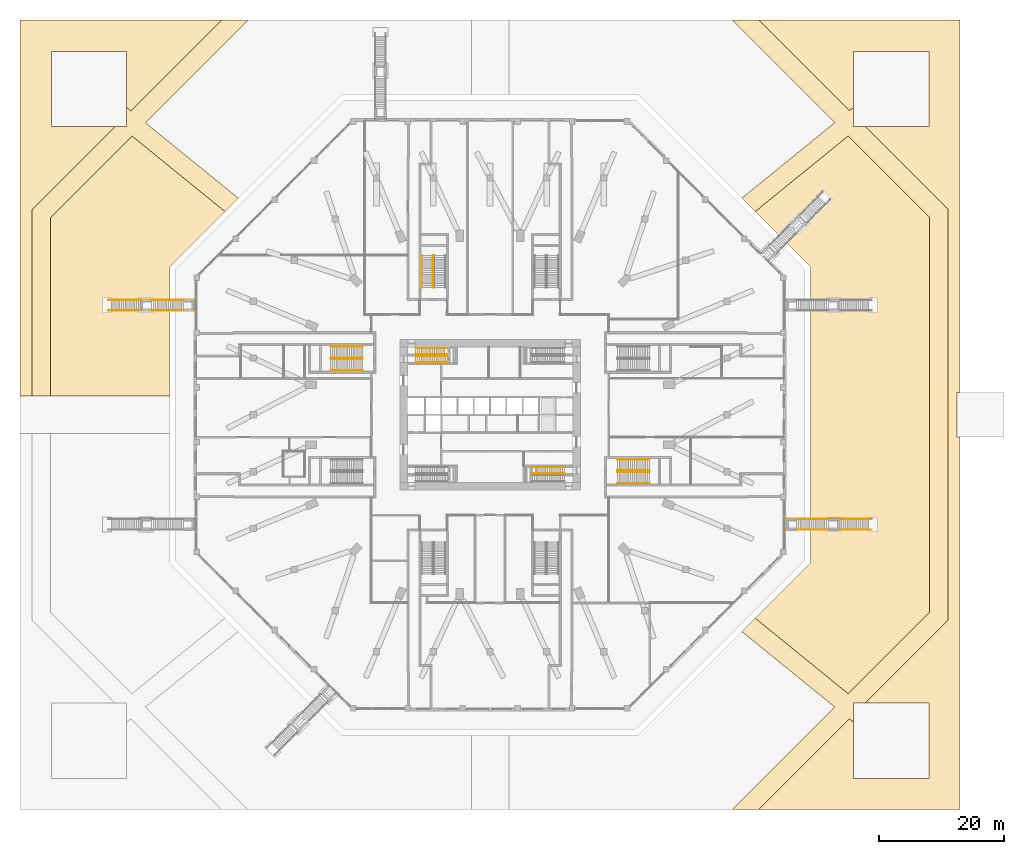
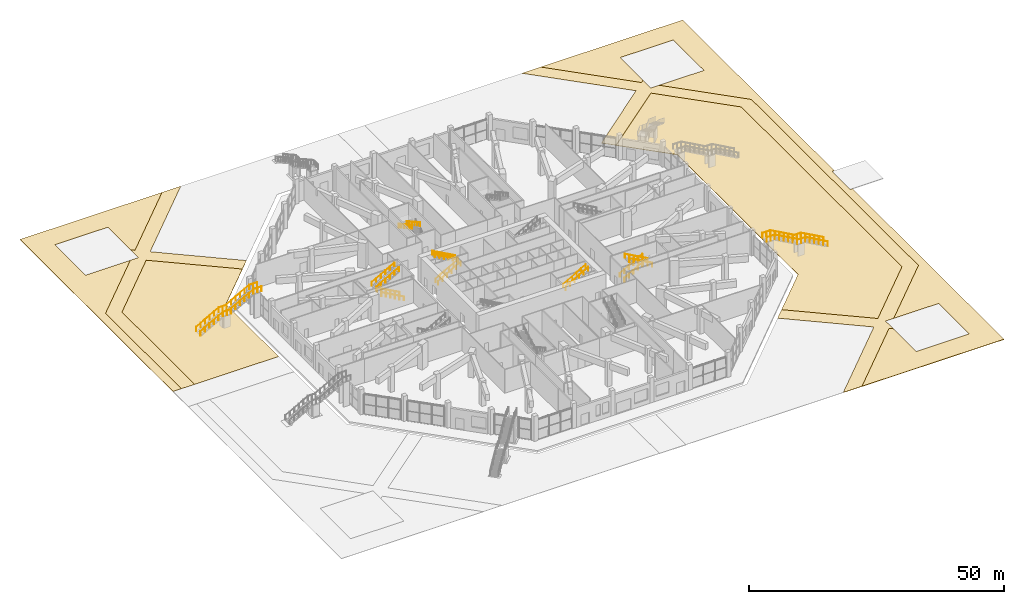
# One storey, part 33 of 36: 20 railings, 6 coverings.
"""IFC4 building model written with IfcOpenShell, lengths in metres."""

from ifc_helpers import new_model, si_unit, direction, frame, origin, origin_2d, place, context, subcontext, project, spatial, polyline, circle, outline, extrude, material, layer, layer_set, constituent, constituent_set, type_object, element, save


model = new_model("IFC4")

# Units and contexts
model_context = context("Model", 3, precision=1e-05, world=origin(), true_north=direction((0.0, 1.0)))
body_context = subcontext(model_context, "Body", "Model", "MODEL_VIEW")
ifc_project = project(units=[si_unit("LENGTHUNIT", "METRE"), si_unit("AREAUNIT", "SQUARE_METRE"), si_unit("VOLUMEUNIT", "CUBIC_METRE"), si_unit("PLANEANGLEUNIT", "RADIAN"), si_unit("MASSUNIT", "GRAM", prefix="KILO")], contexts=[model_context])

# Site, building, storey
site_placement = place(None, origin())
site = spatial("IfcSite", under=ifc_project, at=site_placement, CompositionType="ELEMENT")
building_placement = place(site_placement, origin())
building = spatial("IfcBuilding", under=site, at=building_placement, Name="Msitu Wima Residences", CompositionType="ELEMENT")
storey_placement = place(building_placement, origin())
storey = spatial("IfcBuildingStorey", under=building, at=storey_placement, Name="L00", CompositionType="ELEMENT", Elevation=0.0)

# Coverings
ifc_material_1 = material(Name="Lawn and planting")
ifc_layer_1 = layer(ifc_material_1, 0.10009765625)
ifc_layer_set_1 = layer_set([ifc_layer_1], Name="Lawn and planting")
covering_type_1 = type_object("IfcCoveringType", Name="Garden lawn LN100", PredefinedType="USERDEFINED", material=ifc_layer_set_1)
covering_1_placement = place(storey_placement, frame((0.0, 0.0, -0.10009765625)))
element("IfcCovering", 1, at=covering_1_placement, inside=storey, type_object=covering_type_1, Name="Public garden lawn and planting", ObjectType="LAWN", PredefinedType="USERDEFINED", context=body_context, shape_type="SweptSolid", body=[
    extrude(outline(polyline([(-42.849609375, 63.0), (-57.33349609375, 48.51611328125), (-58.0, 49.0576171875), (-58.0, 58.0), (-70.0, 58.0), (-70.0, 46.0), (-59.849609375, 46.0), (-73.10009765625, 32.749755859375), (-73.10009765625, 3.0), (-75.0, 3.0), (-75.0, 63.0), (-42.849609375, 63.0)])), origin(), (0.0, 0.0, 1.0), 0.10009765625),
])
covering_2_placement = place(storey_placement, frame((0.0, 0.0, -0.10009765625)))
element("IfcCovering", 2, at=covering_2_placement, inside=storey, type_object=covering_type_1, Name="Public garden lawn and planting", ObjectType="LAWN", PredefinedType="USERDEFINED", context=body_context, shape_type="SweptSolid", body=[
    extrude(outline(polyline([(-51.10009765625, 23.636962890625), (-51.10009765625, 3.0), (-70.10009765625, 3.0), (-70.10009765625, 31.507080078125), (-57.125244140625, 44.481689453125), (-42.300537109375, 32.4365234375), (-51.10009765625, 23.636962890625)])), origin(), (0.0, 0.0, 1.0), 0.10009765625),
])
covering_3_placement = place(storey_placement, frame((0.0, 0.0, -0.10009765625)))
element("IfcCovering", 3, at=covering_3_placement, inside=storey, type_object=covering_type_1, Name="Public garden lawn and planting", ObjectType="LAWN", PredefinedType="USERDEFINED", context=body_context, shape_type="SweptSolid", body=[
    extrude(outline(polyline([(51.10009765625, -23.636962890625), (51.10009765625, 23.636962890625), (42.300537109375, 32.4365234375), (57.125244140625, 44.481689453125), (70.10009765625, 31.507080078125), (70.10009765625, -31.507080078125), (57.125244140625, -44.481689453125), (42.300537109375, -32.4365234375), (51.10009765625, -23.636962890625)])), origin(), (0.0, 0.0, 1.0), 0.10009765625),
])
covering_4_placement = place(storey_placement, frame((0.0, 0.0, -0.10009765625)))
element("IfcCovering", 4, at=covering_4_placement, inside=storey, type_object=covering_type_1, Name="Public garden lawn and planting", ObjectType="LAWN", PredefinedType="USERDEFINED", context=body_context, shape_type="SweptSolid", body=[
    extrude(outline(polyline([(42.849609375, -63.0), (57.33349609375, -48.51611328125), (58.0, -49.0576171875), (58.0, -58.0), (70.0, -58.0), (70.0, -46.0), (59.849609375, -46.0), (73.10009765625, -32.749755859375), (73.10009765625, 32.749755859375), (59.849609375, 46.0), (70.0, 46.0), (70.0, 58.0), (58.0, 58.0), (58.0, 49.0576171875), (57.33349609375, 48.51611328125), (42.849609375, 63.0), (75.0, 63.0), (75.0, 3.550048828125), (74.5, 3.550048828125), (74.5, -3.550048828125), (75.0, -3.550048828125), (75.0, -63.0), (42.849609375, -63.0)])), origin(), (0.0, 0.0, 1.0), 0.10009765625),
])
ifc_material_2 = material(Name="Clay pavers")
ifc_layer_2 = layer(ifc_material_2, 0.050048828125, Name="Clay pavers")
ifc_material_3 = material(Name="Sand bedding")
ifc_layer_3 = layer(ifc_material_3, 0.010009765625, Name="Sand bedding")
ifc_layer_set_2 = layer_set([ifc_layer_2, ifc_layer_3], Name="Sand bedding")
covering_type_2 = type_object("IfcCoveringType", Name="Garden paving PV60", PredefinedType="USERDEFINED", material=ifc_layer_set_2)
covering_5_placement = place(storey_placement, frame((0.0, 0.0, -0.06005859375)))
element("IfcCovering", 5, at=covering_5_placement, inside=storey, type_object=covering_type_2, Name="Garden footpath paving", ObjectType="PAVING", PredefinedType="USERDEFINED", context=body_context, shape_type="SweptSolid", body=[
    extrude(outline(polyline([(-73.10009765625, 32.749755859375), (-59.849609375, 46.0), (-58.0, 46.0), (-58.0, 49.0576171875), (-57.33349609375, 48.51611328125), (-42.849609375, 63.0), (-38.60693359375, 63.0), (-54.99267578125, 46.6142578125), (-40.16796875, 34.569091796875), (-42.300537109375, 32.4365234375), (-57.125244140625, 44.481689453125), (-70.10009765625, 31.507080078125), (-70.10009765625, 3.0), (-73.10009765625, 3.0), (-73.10009765625, 32.749755859375)])), origin(), (0.0, 0.0, 1.0), 0.06005859375),
])
covering_6_placement = place(storey_placement, frame((0.0, 0.0, -0.06005859375)))
element("IfcCovering", 6, at=covering_6_placement, inside=storey, type_object=covering_type_2, Name="Garden footpath paving", ObjectType="PAVING", PredefinedType="USERDEFINED", context=body_context, shape_type="SweptSolid", body=[
    extrude(outline(polyline([(57.33349609375, 48.51611328125), (58.0, 49.0576171875), (58.0, 46.0), (59.849609375, 46.0), (73.10009765625, 32.749755859375), (73.10009765625, -32.749755859375), (59.849609375, -46.0), (58.0, -46.0), (58.0, -49.0576171875), (57.33349609375, -48.51611328125), (42.849609375, -63.0), (38.60693359375, -63.0), (54.99267578125, -46.6142578125), (40.16796875, -34.569091796875), (42.300537109375, -32.4365234375), (57.125244140625, -44.481689453125), (70.10009765625, -31.507080078125), (70.10009765625, 31.507080078125), (57.125244140625, 44.481689453125), (42.300537109375, 32.4365234375), (40.16796875, 34.569091796875), (54.99267578125, 46.6142578125), (38.60693359375, 63.0), (42.849609375, 63.0), (57.33349609375, 48.51611328125)])), origin(), (0.0, 0.0, 1.0), 0.06005859375),
])

# Railings
ifc_material_4 = material(Name="Steel S355", Category="steel")
ifc_constituent_1 = constituent(ifc_material_4, Name="Steel S355")
ifc_material_5 = material(Name="Black powder coating")
ifc_constituent_2 = constituent(ifc_material_5, Name="Black powder coating")
ifc_constituent_set_1 = constituent_set(constituents=[ifc_constituent_1, ifc_constituent_2], Name="Steel S355")
railing_type_1 = type_object("IfcRailingType", Name="Stair handrail HR1", PredefinedType="HANDRAIL", material=ifc_constituent_set_1)
for number, where, name in (
    (7, (-11.875, 8.375, 0.166748046875), "Stair 1 handrail"),
    (8, (-11.875, 9.375, 0.166748046875), "Stair 1 handrail"),
):
    element("IfcRailing", number, at=place(storey_placement, frame(where)), inside=storey, type_object=railing_type_1, Name=name, PredefinedType="HANDRAIL", context=body_context, shape_type="SweptSolid", body=[
        extrude(circle(Radius=0.02392578125, at=origin_2d()), frame((0.0, 0.0, 0.8759765625), z_axis=(0.874167145328, 0.0, 0.485625166182), x_axis=(0.0, 1.0, 0.0)), (0.0, 0.0, 1.0), 5.834228515625),
        extrude(circle(Radius=0.02099609375, at=origin_2d()), origin(), (0.0, 0.0, 1.0), 0.851806640625),
        extrude(circle(Radius=0.02099609375, at=origin_2d()), frame((1.02001953125, 0.0, 0.566650390625)), (0.0, 0.0, 1.0), 0.851806640625),
        extrude(circle(Radius=0.02099609375, at=origin_2d()), frame((2.0400390625, 0.0, 1.13330078125)), (0.0, 0.0, 1.0), 0.851806640625),
        extrude(circle(Radius=0.02099609375, at=origin_2d()), frame((3.06005859375, 0.0, 1.699951171875)), (0.0, 0.0, 1.0), 0.851806640625),
        extrude(circle(Radius=0.02099609375, at=origin_2d()), frame((4.080078125, 0.0, 2.2666015625)), (0.0, 0.0, 1.0), 0.851806640625),
        extrude(circle(Radius=0.02099609375, at=origin_2d()), frame((5.10009765625, 0.0, 2.833251953125)), (0.0, 0.0, 1.0), 0.851806640625),
    ])
for number, where, name in (
    (9, (-6.77490234375, 9.625, 3.166748046875), "Stair 1 handrail"),
    (10, (-6.77490234375, 10.625, 3.166748046875), "Stair 1 handrail"),
):
    element("IfcRailing", number, at=place(storey_placement, frame(where)), inside=storey, type_object=railing_type_1, Name=name, PredefinedType="HANDRAIL", context=body_context, shape_type="SweptSolid", body=[
        extrude(circle(Radius=0.02392578125, at=origin_2d()), frame((0.0, 0.0, 0.8759765625), z_axis=(-0.874167145328, 0.0, 0.485625166182), x_axis=(0.0, -1.0, 0.0)), (0.0, 0.0, 1.0), 5.834228515625),
        extrude(circle(Radius=0.02099609375, at=origin_2d()), origin(), (0.0, 0.0, 1.0), 0.851806640625),
        extrude(circle(Radius=0.02099609375, at=origin_2d()), frame((-1.02001953125, 0.0, 0.566650390625)), (0.0, 0.0, 1.0), 0.851806640625),
        extrude(circle(Radius=0.02099609375, at=origin_2d()), frame((-2.0400390625, 0.0, 1.13330078125)), (0.0, 0.0, 1.0), 0.851806640625),
        extrude(circle(Radius=0.02099609375, at=origin_2d()), frame((-3.06005859375, 0.0, 1.699951171875)), (0.0, 0.0, 1.0), 0.851806640625),
        extrude(circle(Radius=0.02099609375, at=origin_2d()), frame((-4.080078125, 0.0, 2.2666015625)), (0.0, 0.0, 1.0), 0.851806640625),
        extrude(circle(Radius=0.02099609375, at=origin_2d()), frame((-5.10009765625, 0.0, 2.833251953125)), (0.0, 0.0, 1.0), 0.851806640625),
    ])
for number, where, name in (
    (11, (6.77490234375, -9.375, 3.166748046875), "Stair 4 handrail"),
    (12, (6.77490234375, -8.375, 3.166748046875), "Stair 4 handrail"),
    (13, (20.324951171875, -7.10009765625, 0.166748046875), "Podium exit stair 2 handrail"),
    (14, (20.324951171875, -8.89990234375, 0.166748046875), "Podium exit stair 2 handrail"),
):
    element("IfcRailing", number, at=place(storey_placement, frame(where)), inside=storey, type_object=railing_type_1, Name=name, PredefinedType="HANDRAIL", context=body_context, shape_type="SweptSolid", body=[
        extrude(circle(Radius=0.02392578125, at=origin_2d()), frame((0.0, 0.0, 0.8759765625), z_axis=(0.874167145328, 0.0, 0.485625166182), x_axis=(0.0, 1.0, 0.0)), (0.0, 0.0, 1.0), 5.834228515625),
        extrude(circle(Radius=0.02099609375, at=origin_2d()), origin(), (0.0, 0.0, 1.0), 0.851806640625),
        extrude(circle(Radius=0.02099609375, at=origin_2d()), frame((1.02001953125, 0.0, 0.566650390625)), (0.0, 0.0, 1.0), 0.851806640625),
        extrude(circle(Radius=0.02099609375, at=origin_2d()), frame((2.0400390625, 0.0, 1.13330078125)), (0.0, 0.0, 1.0), 0.851806640625),
        extrude(circle(Radius=0.02099609375, at=origin_2d()), frame((3.06005859375, 0.0, 1.699951171875)), (0.0, 0.0, 1.0), 0.851806640625),
        extrude(circle(Radius=0.02099609375, at=origin_2d()), frame((4.080078125, 0.0, 2.2666015625)), (0.0, 0.0, 1.0), 0.851806640625),
        extrude(circle(Radius=0.02099609375, at=origin_2d()), frame((5.10009765625, 0.0, 2.833251953125)), (0.0, 0.0, 1.0), 0.851806640625),
    ])
for number, where, name in (
    (15, (25.425048828125, -9.10009765625, 3.166748046875), "Podium exit stair 2 handrail"),
    (16, (25.425048828125, -10.89990234375, 3.166748046875), "Podium exit stair 2 handrail"),
):
    element("IfcRailing", number, at=place(storey_placement, frame(where)), inside=storey, type_object=railing_type_1, Name=name, PredefinedType="HANDRAIL", context=body_context, shape_type="SweptSolid", body=[
        extrude(circle(Radius=0.02392578125, at=origin_2d()), frame((0.0, 0.0, 0.8759765625), z_axis=(-0.874167145328, 0.0, 0.485625166182), x_axis=(0.0, -1.0, 0.0)), (0.0, 0.0, 1.0), 5.834228515625),
        extrude(circle(Radius=0.02099609375, at=origin_2d()), origin(), (0.0, 0.0, 1.0), 0.851806640625),
        extrude(circle(Radius=0.02099609375, at=origin_2d()), frame((-1.02001953125, 0.0, 0.566650390625)), (0.0, 0.0, 1.0), 0.851806640625),
        extrude(circle(Radius=0.02099609375, at=origin_2d()), frame((-2.0400390625, 0.0, 1.13330078125)), (0.0, 0.0, 1.0), 0.851806640625),
        extrude(circle(Radius=0.02099609375, at=origin_2d()), frame((-3.06005859375, 0.0, 1.699951171875)), (0.0, 0.0, 1.0), 0.851806640625),
        extrude(circle(Radius=0.02099609375, at=origin_2d()), frame((-4.080078125, 0.0, 2.2666015625)), (0.0, 0.0, 1.0), 0.851806640625),
        extrude(circle(Radius=0.02099609375, at=origin_2d()), frame((-5.10009765625, 0.0, 2.833251953125)), (0.0, 0.0, 1.0), 0.851806640625),
    ])
for number, where, name in (
    (17, (-9.10009765625, 25.425048828125, 3.166748046875), "Podium exit stair 3 handrail"),
    (18, (-10.89990234375, 25.425048828125, 3.166748046875), "Podium exit stair 3 handrail"),
):
    element("IfcRailing", number, at=place(storey_placement, frame(where)), inside=storey, type_object=railing_type_1, Name=name, PredefinedType="HANDRAIL", context=body_context, shape_type="SweptSolid", body=[
        extrude(circle(Radius=0.02392578125, at=origin_2d()), frame((0.0, 0.0, 0.8759765625), z_axis=(0.0, -0.874167145328, 0.485625166182), x_axis=(1.0, 0.0, 0.0)), (0.0, 0.0, 1.0), 5.834228515625),
        extrude(circle(Radius=0.02099609375, at=origin_2d()), origin(), (0.0, 0.0, 1.0), 0.851806640625),
        extrude(circle(Radius=0.02099609375, at=origin_2d()), frame((0.0, -1.02001953125, 0.566650390625)), (0.0, 0.0, 1.0), 0.851806640625),
        extrude(circle(Radius=0.02099609375, at=origin_2d()), frame((0.0, -2.0400390625, 1.13330078125)), (0.0, 0.0, 1.0), 0.851806640625),
        extrude(circle(Radius=0.02099609375, at=origin_2d()), frame((0.0, -3.06005859375, 1.699951171875)), (0.0, 0.0, 1.0), 0.851806640625),
        extrude(circle(Radius=0.02099609375, at=origin_2d()), frame((0.0, -4.080078125, 2.2666015625)), (0.0, 0.0, 1.0), 0.851806640625),
        extrude(circle(Radius=0.02099609375, at=origin_2d()), frame((0.0, -5.10009765625, 2.833251953125)), (0.0, 0.0, 1.0), 0.851806640625),
    ])
for number, where, name in (
    (19, (-20.324951171875, 7.10009765625, 0.166748046875), "Podium exit stair 6 handrail"),
    (20, (-20.324951171875, 8.89990234375, 0.166748046875), "Podium exit stair 6 handrail"),
):
    element("IfcRailing", number, at=place(storey_placement, frame(where)), inside=storey, type_object=railing_type_1, Name=name, PredefinedType="HANDRAIL", context=body_context, shape_type="SweptSolid", body=[
        extrude(circle(Radius=0.02392578125, at=origin_2d()), frame((0.0, 0.0, 0.8759765625), z_axis=(-0.874167145328, 0.0, 0.485625166182), x_axis=(0.0, -1.0, 0.0)), (0.0, 0.0, 1.0), 5.834228515625),
        extrude(circle(Radius=0.02099609375, at=origin_2d()), origin(), (0.0, 0.0, 1.0), 0.851806640625),
        extrude(circle(Radius=0.02099609375, at=origin_2d()), frame((-1.02001953125, 0.0, 0.566650390625)), (0.0, 0.0, 1.0), 0.851806640625),
        extrude(circle(Radius=0.02099609375, at=origin_2d()), frame((-2.0400390625, 0.0, 1.13330078125)), (0.0, 0.0, 1.0), 0.851806640625),
        extrude(circle(Radius=0.02099609375, at=origin_2d()), frame((-3.06005859375, 0.0, 1.699951171875)), (0.0, 0.0, 1.0), 0.851806640625),
        extrude(circle(Radius=0.02099609375, at=origin_2d()), frame((-4.080078125, 0.0, 2.2666015625)), (0.0, 0.0, 1.0), 0.851806640625),
        extrude(circle(Radius=0.02099609375, at=origin_2d()), frame((-5.10009765625, 0.0, 2.833251953125)), (0.0, 0.0, 1.0), 0.851806640625),
    ])
for number, where, name in (
    (21, (-25.425048828125, 9.10009765625, 3.166748046875), "Podium exit stair 6 handrail"),
    (22, (-25.425048828125, 10.89990234375, 3.166748046875), "Podium exit stair 6 handrail"),
):
    element("IfcRailing", number, at=place(storey_placement, frame(where)), inside=storey, type_object=railing_type_1, Name=name, PredefinedType="HANDRAIL", context=body_context, shape_type="SweptSolid", body=[
        extrude(circle(Radius=0.02392578125, at=origin_2d()), frame((0.0, 0.0, 0.8759765625), z_axis=(0.874167145328, 0.0, 0.485625166182), x_axis=(0.0, 1.0, 0.0)), (0.0, 0.0, 1.0), 5.834228515625),
        extrude(circle(Radius=0.02099609375, at=origin_2d()), origin(), (0.0, 0.0, 1.0), 0.851806640625),
        extrude(circle(Radius=0.02099609375, at=origin_2d()), frame((1.02001953125, 0.0, 0.566650390625)), (0.0, 0.0, 1.0), 0.851806640625),
        extrude(circle(Radius=0.02099609375, at=origin_2d()), frame((2.0400390625, 0.0, 1.13330078125)), (0.0, 0.0, 1.0), 0.851806640625),
        extrude(circle(Radius=0.02099609375, at=origin_2d()), frame((3.06005859375, 0.0, 1.699951171875)), (0.0, 0.0, 1.0), 0.851806640625),
        extrude(circle(Radius=0.02099609375, at=origin_2d()), frame((4.080078125, 0.0, 2.2666015625)), (0.0, 0.0, 1.0), 0.851806640625),
        extrude(circle(Radius=0.02099609375, at=origin_2d()), frame((5.10009765625, 0.0, 2.833251953125)), (0.0, 0.0, 1.0), 0.851806640625),
    ])
ifc_constituent_3 = constituent(ifc_material_4, Name="Steel S355")
ifc_material_6 = material(Name="Weathering patina")
ifc_constituent_4 = constituent(ifc_material_6, Name="Weathering patina")
ifc_constituent_set_2 = constituent_set(constituents=[ifc_constituent_3, ifc_constituent_4], Name="Steel S355")
railing_type_2 = type_object("IfcRailingType", Name="Terrace guard GR1100", PredefinedType="GUARDRAIL", material=ifc_constituent_set_2)
railing_1_placement = place(storey_placement, frame((47.10009765625, -18.334716796875, 6.0)))
element("IfcRailing", 23, at=railing_1_placement, inside=storey, type_object=railing_type_2, Name="Garden stair 2 guard", PredefinedType="GUARDRAIL", context=body_context, shape_type="SweptSolid", body=[
    extrude(circle(Radius=0.02392578125, at=origin_2d()), frame((0.0, 0.0, 1.076171875), z_axis=(1.0, 0.0, 0.0), x_axis=(0.0, 1.0, 0.0)), (0.0, 0.0, 1.0), 1.7998046875),
    extrude(circle(Radius=0.02392578125, at=origin_2d()), frame((1.7998046875, 0.0, 1.076171875), z_axis=(0.874167145328, 0.0, -0.485625166182), x_axis=(0.0, 1.0, 0.0)), (0.0, 0.0, 1.0), 5.834228515625),
    extrude(circle(Radius=0.02392578125, at=origin_2d()), frame((6.89990234375, 0.0, -1.75732421875), z_axis=(0.0, 0.0, -1.0), x_axis=(1.0, 0.0, 0.0)), (0.0, 0.0, 1.0), 0.166748046875),
    extrude(circle(Radius=0.02392578125, at=origin_2d()), frame((6.89990234375, 0.0, -1.923828125), z_axis=(1.0, 0.0, 0.0), x_axis=(0.0, 1.0, 0.0)), (0.0, 0.0, 1.0), 1.800048828125),
    extrude(circle(Radius=0.02392578125, at=origin_2d()), frame((8.699951171875, 0.0, -1.923828125), z_axis=(0.874157276122, 0.0, -0.485642931179), x_axis=(0.0, 1.0, 0.0)), (0.0, 0.0, 1.0), 5.833984375),
    extrude(circle(Radius=0.02392578125, at=origin_2d()), frame((13.7998046875, 0.0, -4.75732421875), z_axis=(0.0, 0.0, -1.0), x_axis=(1.0, 0.0, 0.0)), (0.0, 0.0, 1.0), 0.166748046875),
    extrude(circle(Radius=0.02099609375, at=origin_2d()), origin(), (0.0, 0.0, 1.0), 1.052001953125),
    extrude(circle(Radius=0.02099609375, at=origin_2d()), frame((0.89990234375, 0.0, 0.0)), (0.0, 0.0, 1.0), 1.052001953125),
    extrude(circle(Radius=0.02099609375, at=origin_2d()), frame((1.7998046875, 0.0, 0.0)), (0.0, 0.0, 1.0), 1.052001953125),
    extrude(circle(Radius=0.02099609375, at=origin_2d()), frame((2.81982421875, 0.0, -0.566650390625)), (0.0, 0.0, 1.0), 1.052001953125),
    extrude(circle(Radius=0.02099609375, at=origin_2d()), frame((3.83984375, 0.0, -1.13330078125)), (0.0, 0.0, 1.0), 1.052001953125),
    extrude(circle(Radius=0.02099609375, at=origin_2d()), frame((4.85986328125, 0.0, -1.699951171875)), (0.0, 0.0, 1.0), 1.052001953125),
    extrude(circle(Radius=0.02099609375, at=origin_2d()), frame((5.8798828125, 0.0, -2.2666015625)), (0.0, 0.0, 1.0), 1.052001953125),
    extrude(circle(Radius=0.02099609375, at=origin_2d()), frame((6.89990234375, 0.0, -2.833251953125)), (0.0, 0.0, 1.0), 1.052001953125),
    extrude(circle(Radius=0.02099609375, at=origin_2d()), frame((6.89990234375, 0.0, -3.0)), (0.0, 0.0, 1.0), 1.052001953125),
    extrude(circle(Radius=0.02099609375, at=origin_2d()), frame((7.7998046875, 0.0, -3.0)), (0.0, 0.0, 1.0), 1.052001953125),
    extrude(circle(Radius=0.02099609375, at=origin_2d()), frame((8.699951171875, 0.0, -3.0)), (0.0, 0.0, 1.0), 1.052001953125),
    extrude(circle(Radius=0.02099609375, at=origin_2d()), frame((9.719970703125, 0.0, -3.566650390625)), (0.0, 0.0, 1.0), 1.052001953125),
    extrude(circle(Radius=0.02099609375, at=origin_2d()), frame((10.739990234375, 0.0, -4.13330078125)), (0.0, 0.0, 1.0), 1.052001953125),
    extrude(circle(Radius=0.02099609375, at=origin_2d()), frame((11.759765625, 0.0, -4.699951171875)), (0.0, 0.0, 1.0), 1.052001953125),
    extrude(circle(Radius=0.02099609375, at=origin_2d()), frame((12.77978515625, 0.0, -5.2666015625)), (0.0, 0.0, 1.0), 1.052001953125),
    extrude(circle(Radius=0.02099609375, at=origin_2d()), frame((13.7998046875, 0.0, -5.833251953125)), (0.0, 0.0, 1.0), 1.052001953125),
    extrude(circle(Radius=0.02099609375, at=origin_2d()), frame((13.7998046875, 0.0, -6.0)), (0.0, 0.0, 1.0), 1.052001953125),
])
railing_2_placement = place(storey_placement, frame((47.10009765625, -16.634765625, 6.0)))
element("IfcRailing", 24, at=railing_2_placement, inside=storey, type_object=railing_type_2, Name="Garden stair 2 guard", PredefinedType="GUARDRAIL", context=body_context, shape_type="SweptSolid", body=[
    extrude(circle(Radius=0.02392578125, at=origin_2d()), frame((0.0, 0.0, 1.076171875), z_axis=(1.0, 0.0, 0.0), x_axis=(0.0, 1.0, 0.0)), (0.0, 0.0, 1.0), 1.7998046875),
    extrude(circle(Radius=0.02392578125, at=origin_2d()), frame((1.7998046875, 0.0, 1.076171875), z_axis=(0.874167145328, 0.0, -0.485625166182), x_axis=(0.0, 1.0, 0.0)), (0.0, 0.0, 1.0), 5.834228515625),
    extrude(circle(Radius=0.02392578125, at=origin_2d()), frame((6.89990234375, 0.0, -1.75732421875), z_axis=(0.0, 0.0, -1.0), x_axis=(1.0, 0.0, 0.0)), (0.0, 0.0, 1.0), 0.166748046875),
    extrude(circle(Radius=0.02392578125, at=origin_2d()), frame((6.89990234375, 0.0, -1.923828125), z_axis=(1.0, 0.0, 0.0), x_axis=(0.0, 1.0, 0.0)), (0.0, 0.0, 1.0), 1.800048828125),
    extrude(circle(Radius=0.02392578125, at=origin_2d()), frame((8.699951171875, 0.0, -1.923828125), z_axis=(0.874157276122, 0.0, -0.485642931179), x_axis=(0.0, 1.0, 0.0)), (0.0, 0.0, 1.0), 5.833984375),
    extrude(circle(Radius=0.02392578125, at=origin_2d()), frame((13.7998046875, 0.0, -4.75732421875), z_axis=(0.0, 0.0, -1.0), x_axis=(1.0, 0.0, 0.0)), (0.0, 0.0, 1.0), 0.166748046875),
    extrude(circle(Radius=0.02099609375, at=origin_2d()), origin(), (0.0, 0.0, 1.0), 1.052001953125),
    extrude(circle(Radius=0.02099609375, at=origin_2d()), frame((0.89990234375, 0.0, 0.0)), (0.0, 0.0, 1.0), 1.052001953125),
    extrude(circle(Radius=0.02099609375, at=origin_2d()), frame((1.7998046875, 0.0, 0.0)), (0.0, 0.0, 1.0), 1.052001953125),
    extrude(circle(Radius=0.02099609375, at=origin_2d()), frame((2.81982421875, 0.0, -0.566650390625)), (0.0, 0.0, 1.0), 1.052001953125),
    extrude(circle(Radius=0.02099609375, at=origin_2d()), frame((3.83984375, 0.0, -1.13330078125)), (0.0, 0.0, 1.0), 1.052001953125),
    extrude(circle(Radius=0.02099609375, at=origin_2d()), frame((4.85986328125, 0.0, -1.699951171875)), (0.0, 0.0, 1.0), 1.052001953125),
    extrude(circle(Radius=0.02099609375, at=origin_2d()), frame((5.8798828125, 0.0, -2.2666015625)), (0.0, 0.0, 1.0), 1.052001953125),
    extrude(circle(Radius=0.02099609375, at=origin_2d()), frame((6.89990234375, 0.0, -2.833251953125)), (0.0, 0.0, 1.0), 1.052001953125),
    extrude(circle(Radius=0.02099609375, at=origin_2d()), frame((6.89990234375, 0.0, -3.0)), (0.0, 0.0, 1.0), 1.052001953125),
    extrude(circle(Radius=0.02099609375, at=origin_2d()), frame((7.7998046875, 0.0, -3.0)), (0.0, 0.0, 1.0), 1.052001953125),
    extrude(circle(Radius=0.02099609375, at=origin_2d()), frame((8.699951171875, 0.0, -3.0)), (0.0, 0.0, 1.0), 1.052001953125),
    extrude(circle(Radius=0.02099609375, at=origin_2d()), frame((9.719970703125, 0.0, -3.566650390625)), (0.0, 0.0, 1.0), 1.052001953125),
    extrude(circle(Radius=0.02099609375, at=origin_2d()), frame((10.739990234375, 0.0, -4.13330078125)), (0.0, 0.0, 1.0), 1.052001953125),
    extrude(circle(Radius=0.02099609375, at=origin_2d()), frame((11.759765625, 0.0, -4.699951171875)), (0.0, 0.0, 1.0), 1.052001953125),
    extrude(circle(Radius=0.02099609375, at=origin_2d()), frame((12.77978515625, 0.0, -5.2666015625)), (0.0, 0.0, 1.0), 1.052001953125),
    extrude(circle(Radius=0.02099609375, at=origin_2d()), frame((13.7998046875, 0.0, -5.833251953125)), (0.0, 0.0, 1.0), 1.052001953125),
    extrude(circle(Radius=0.02099609375, at=origin_2d()), frame((13.7998046875, 0.0, -6.0)), (0.0, 0.0, 1.0), 1.052001953125),
])
railing_3_placement = place(storey_placement, frame((-47.10009765625, 18.334716796875, 6.0)))
element("IfcRailing", 25, at=railing_3_placement, inside=storey, type_object=railing_type_2, Name="Garden stair 4 guard", PredefinedType="GUARDRAIL", context=body_context, shape_type="SweptSolid", body=[
    extrude(circle(Radius=0.02392578125, at=origin_2d()), frame((0.0, 0.0, 1.076171875), z_axis=(-1.0, 0.0, 0.0), x_axis=(0.0, -1.0, 0.0)), (0.0, 0.0, 1.0), 1.7998046875),
    extrude(circle(Radius=0.02392578125, at=origin_2d()), frame((-1.7998046875, 0.0, 1.076171875), z_axis=(-0.874167145328, 0.0, -0.485625166182), x_axis=(0.0, -1.0, 0.0)), (0.0, 0.0, 1.0), 5.834228515625),
    extrude(circle(Radius=0.02392578125, at=origin_2d()), frame((-6.89990234375, 0.0, -1.75732421875), z_axis=(0.0, 0.0, -1.0), x_axis=(1.0, 0.0, 0.0)), (0.0, 0.0, 1.0), 0.166748046875),
    extrude(circle(Radius=0.02392578125, at=origin_2d()), frame((-6.89990234375, 0.0, -1.923828125), z_axis=(-1.0, 0.0, 0.0), x_axis=(0.0, -1.0, 0.0)), (0.0, 0.0, 1.0), 1.800048828125),
    extrude(circle(Radius=0.02392578125, at=origin_2d()), frame((-8.699951171875, 0.0, -1.923828125), z_axis=(-0.874157276122, 0.0, -0.485642931179), x_axis=(0.0, -1.0, 0.0)), (0.0, 0.0, 1.0), 5.833984375),
    extrude(circle(Radius=0.02392578125, at=origin_2d()), frame((-13.7998046875, 0.0, -4.75732421875), z_axis=(0.0, 0.0, -1.0), x_axis=(1.0, 0.0, 0.0)), (0.0, 0.0, 1.0), 0.166748046875),
    extrude(circle(Radius=0.02099609375, at=origin_2d()), origin(), (0.0, 0.0, 1.0), 1.052001953125),
    extrude(circle(Radius=0.02099609375, at=origin_2d()), frame((-0.89990234375, 0.0, 0.0)), (0.0, 0.0, 1.0), 1.052001953125),
    extrude(circle(Radius=0.02099609375, at=origin_2d()), frame((-1.7998046875, 0.0, 0.0)), (0.0, 0.0, 1.0), 1.052001953125),
    extrude(circle(Radius=0.02099609375, at=origin_2d()), frame((-2.81982421875, 0.0, -0.566650390625)), (0.0, 0.0, 1.0), 1.052001953125),
    extrude(circle(Radius=0.02099609375, at=origin_2d()), frame((-3.83984375, 0.0, -1.13330078125)), (0.0, 0.0, 1.0), 1.052001953125),
    extrude(circle(Radius=0.02099609375, at=origin_2d()), frame((-4.85986328125, 0.0, -1.699951171875)), (0.0, 0.0, 1.0), 1.052001953125),
    extrude(circle(Radius=0.02099609375, at=origin_2d()), frame((-5.8798828125, 0.0, -2.2666015625)), (0.0, 0.0, 1.0), 1.052001953125),
    extrude(circle(Radius=0.02099609375, at=origin_2d()), frame((-6.89990234375, 0.0, -2.833251953125)), (0.0, 0.0, 1.0), 1.052001953125),
    extrude(circle(Radius=0.02099609375, at=origin_2d()), frame((-6.89990234375, 0.0, -3.0)), (0.0, 0.0, 1.0), 1.052001953125),
    extrude(circle(Radius=0.02099609375, at=origin_2d()), frame((-7.7998046875, 0.0, -3.0)), (0.0, 0.0, 1.0), 1.052001953125),
    extrude(circle(Radius=0.02099609375, at=origin_2d()), frame((-8.699951171875, 0.0, -3.0)), (0.0, 0.0, 1.0), 1.052001953125),
    extrude(circle(Radius=0.02099609375, at=origin_2d()), frame((-9.719970703125, 0.0, -3.566650390625)), (0.0, 0.0, 1.0), 1.052001953125),
    extrude(circle(Radius=0.02099609375, at=origin_2d()), frame((-10.739990234375, 0.0, -4.13330078125)), (0.0, 0.0, 1.0), 1.052001953125),
    extrude(circle(Radius=0.02099609375, at=origin_2d()), frame((-11.759765625, 0.0, -4.699951171875)), (0.0, 0.0, 1.0), 1.052001953125),
    extrude(circle(Radius=0.02099609375, at=origin_2d()), frame((-12.77978515625, 0.0, -5.2666015625)), (0.0, 0.0, 1.0), 1.052001953125),
    extrude(circle(Radius=0.02099609375, at=origin_2d()), frame((-13.7998046875, 0.0, -5.833251953125)), (0.0, 0.0, 1.0), 1.052001953125),
    extrude(circle(Radius=0.02099609375, at=origin_2d()), frame((-13.7998046875, 0.0, -6.0)), (0.0, 0.0, 1.0), 1.052001953125),
])
railing_4_placement = place(storey_placement, frame((-47.10009765625, 16.634765625, 6.0)))
element("IfcRailing", 26, at=railing_4_placement, inside=storey, type_object=railing_type_2, Name="Garden stair 4 guard", PredefinedType="GUARDRAIL", context=body_context, shape_type="SweptSolid", body=[
    extrude(circle(Radius=0.02392578125, at=origin_2d()), frame((0.0, 0.0, 1.076171875), z_axis=(-1.0, 0.0, 0.0), x_axis=(0.0, -1.0, 0.0)), (0.0, 0.0, 1.0), 1.7998046875),
    extrude(circle(Radius=0.02392578125, at=origin_2d()), frame((-1.7998046875, 0.0, 1.076171875), z_axis=(-0.874167145328, 0.0, -0.485625166182), x_axis=(0.0, -1.0, 0.0)), (0.0, 0.0, 1.0), 5.834228515625),
    extrude(circle(Radius=0.02392578125, at=origin_2d()), frame((-6.89990234375, 0.0, -1.75732421875), z_axis=(0.0, 0.0, -1.0), x_axis=(1.0, 0.0, 0.0)), (0.0, 0.0, 1.0), 0.166748046875),
    extrude(circle(Radius=0.02392578125, at=origin_2d()), frame((-6.89990234375, 0.0, -1.923828125), z_axis=(-1.0, 0.0, 0.0), x_axis=(0.0, -1.0, 0.0)), (0.0, 0.0, 1.0), 1.800048828125),
    extrude(circle(Radius=0.02392578125, at=origin_2d()), frame((-8.699951171875, 0.0, -1.923828125), z_axis=(-0.874157276122, 0.0, -0.485642931179), x_axis=(0.0, -1.0, 0.0)), (0.0, 0.0, 1.0), 5.833984375),
    extrude(circle(Radius=0.02392578125, at=origin_2d()), frame((-13.7998046875, 0.0, -4.75732421875), z_axis=(0.0, 0.0, -1.0), x_axis=(1.0, 0.0, 0.0)), (0.0, 0.0, 1.0), 0.166748046875),
    extrude(circle(Radius=0.02099609375, at=origin_2d()), origin(), (0.0, 0.0, 1.0), 1.052001953125),
    extrude(circle(Radius=0.02099609375, at=origin_2d()), frame((-0.89990234375, 0.0, 0.0)), (0.0, 0.0, 1.0), 1.052001953125),
    extrude(circle(Radius=0.02099609375, at=origin_2d()), frame((-1.7998046875, 0.0, 0.0)), (0.0, 0.0, 1.0), 1.052001953125),
    extrude(circle(Radius=0.02099609375, at=origin_2d()), frame((-2.81982421875, 0.0, -0.566650390625)), (0.0, 0.0, 1.0), 1.052001953125),
    extrude(circle(Radius=0.02099609375, at=origin_2d()), frame((-3.83984375, 0.0, -1.13330078125)), (0.0, 0.0, 1.0), 1.052001953125),
    extrude(circle(Radius=0.02099609375, at=origin_2d()), frame((-4.85986328125, 0.0, -1.699951171875)), (0.0, 0.0, 1.0), 1.052001953125),
    extrude(circle(Radius=0.02099609375, at=origin_2d()), frame((-5.8798828125, 0.0, -2.2666015625)), (0.0, 0.0, 1.0), 1.052001953125),
    extrude(circle(Radius=0.02099609375, at=origin_2d()), frame((-6.89990234375, 0.0, -2.833251953125)), (0.0, 0.0, 1.0), 1.052001953125),
    extrude(circle(Radius=0.02099609375, at=origin_2d()), frame((-6.89990234375, 0.0, -3.0)), (0.0, 0.0, 1.0), 1.052001953125),
    extrude(circle(Radius=0.02099609375, at=origin_2d()), frame((-7.7998046875, 0.0, -3.0)), (0.0, 0.0, 1.0), 1.052001953125),
    extrude(circle(Radius=0.02099609375, at=origin_2d()), frame((-8.699951171875, 0.0, -3.0)), (0.0, 0.0, 1.0), 1.052001953125),
    extrude(circle(Radius=0.02099609375, at=origin_2d()), frame((-9.719970703125, 0.0, -3.566650390625)), (0.0, 0.0, 1.0), 1.052001953125),
    extrude(circle(Radius=0.02099609375, at=origin_2d()), frame((-10.739990234375, 0.0, -4.13330078125)), (0.0, 0.0, 1.0), 1.052001953125),
    extrude(circle(Radius=0.02099609375, at=origin_2d()), frame((-11.759765625, 0.0, -4.699951171875)), (0.0, 0.0, 1.0), 1.052001953125),
    extrude(circle(Radius=0.02099609375, at=origin_2d()), frame((-12.77978515625, 0.0, -5.2666015625)), (0.0, 0.0, 1.0), 1.052001953125),
    extrude(circle(Radius=0.02099609375, at=origin_2d()), frame((-13.7998046875, 0.0, -5.833251953125)), (0.0, 0.0, 1.0), 1.052001953125),
    extrude(circle(Radius=0.02099609375, at=origin_2d()), frame((-13.7998046875, 0.0, -6.0)), (0.0, 0.0, 1.0), 1.052001953125),
])

save(model, "model.ifc")
